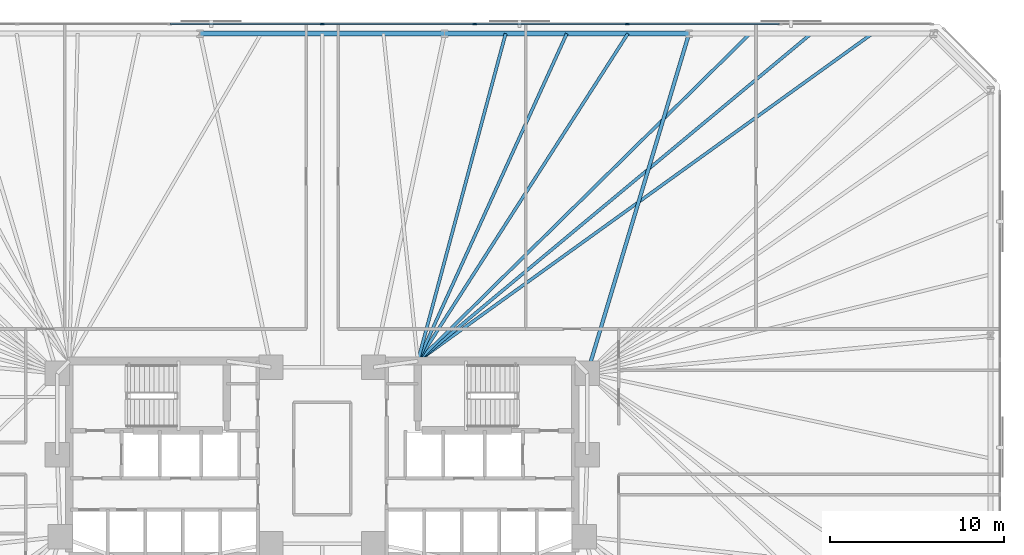
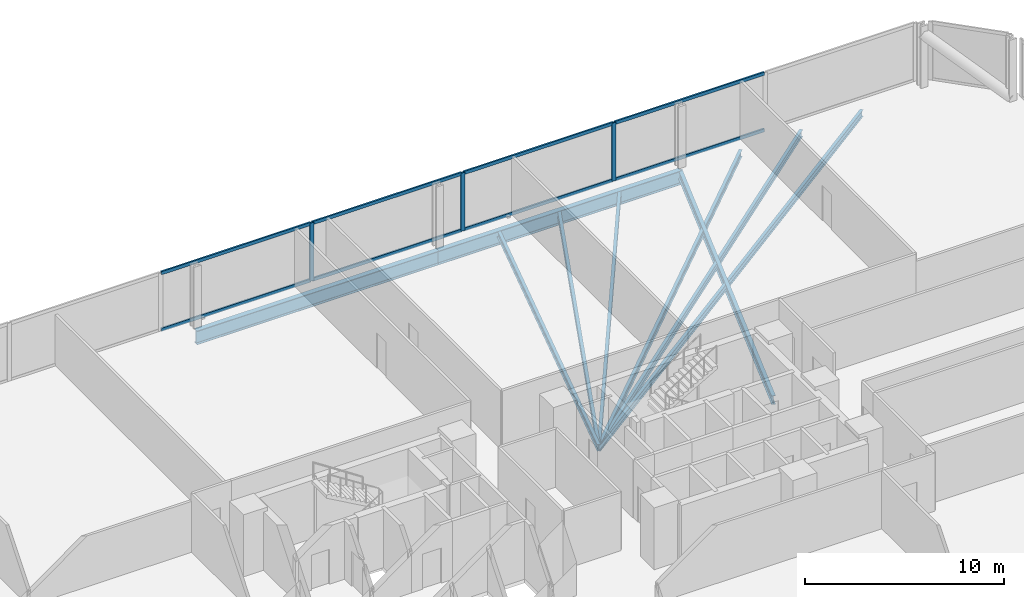
# One storey, part 9 of 17: 11 members, 9 beams, 1 element without a shape of its own.
"""IFC4 building model written with IfcOpenShell, lengths in metres."""

from ifc_helpers import new_model, si_unit, direction, frame, origin, origin_2d, place, context, subcontext, project, spatial, rectangle, i_section, extrude, material, material_profile, profile_set, type_object, element, aggregate, save


model = new_model("IFC4")

# Units and contexts
model_context = context("Model", 3, precision=1e-05, world=origin(), true_north=direction((0.0, 1.0)))
body_context = subcontext(model_context, "Body", "Model", "MODEL_VIEW")
ifc_project = project(units=[si_unit("LENGTHUNIT", "METRE"), si_unit("AREAUNIT", "SQUARE_METRE"), si_unit("VOLUMEUNIT", "CUBIC_METRE"), si_unit("PLANEANGLEUNIT", "RADIAN"), si_unit("MASSUNIT", "GRAM", prefix="KILO")], contexts=[model_context])

# Site, building, storey
site_placement = place(None, origin())
site = spatial("IfcSite", under=ifc_project, at=site_placement, CompositionType="ELEMENT")
building_placement = place(site_placement, origin())
building = spatial("IfcBuilding", under=site, at=building_placement, Name="Menara Jurai Vektor", CompositionType="ELEMENT")
storey_placement = place(building_placement, frame((0.0, 0.0, 44.60009765625)))
storey = spatial("IfcBuildingStorey", under=building, at=storey_placement, Name="L10", CompositionType="ELEMENT", Elevation=44.60009765625)

# Curtain wall, members
ifc_material_1 = material(Name="Anodised Pale Aluminium & Low-E Double Glazing", Category="aluminium")
curtain_wall_type = type_object("IfcCurtainWallType", Name="CW-BLK1", PredefinedType="NOTDEFINED", material=ifc_material_1)
curtain_wall_placement = place(storey_placement, origin())
curtain_wall = element("IfcCurtainWall", 1, at=curtain_wall_placement, inside=storey, type_object=curtain_wall_type, Name="Unitised Curtain Wall L10 F05", PredefinedType="NOTDEFINED")
ifc_material_2 = material(Name="Anodised Pale Aluminium Mullion", Category="aluminium")
ifc_material_profile_1 = material_profile(ifc_material_2, rectangle(XDim=0.094970703125, YDim=0.239990234375, at=origin_2d()), Name="ALU MUL 95x240")
ifc_profile_set_1 = profile_set([ifc_material_profile_1], Name="Anodised Pale Aluminium Mullion")
member_type_1 = type_object("IfcMemberType", Name="CW-BLK1-MUL", PredefinedType="MULLION", material=ifc_profile_set_1)
member_1_placement = place(storey_placement, frame((17.56005859375, 25.0, 0.0), z_axis=(0.0, 0.0, 1.0), x_axis=(0.0, -1.0, 0.0)))
member_1 = element("IfcMember", 2, at=member_1_placement, type_object=member_type_1, Name="CW-01 mullion 3", PredefinedType="MULLION", context=body_context, shape_type="SweptSolid", body=[
    extrude(rectangle(XDim=0.094970703125, YDim=0.239990234375, at=origin_2d()), origin(), (0.0, 0.0, 1.0), 3.574951171875),
])
member_2_placement = place(storey_placement, frame((8.780029296875, 25.0, 0.0), z_axis=(0.0, 0.0, 1.0), x_axis=(0.0, -1.0, 0.0)))
member_2 = element("IfcMember", 3, at=member_2_placement, type_object=member_type_1, Name="CW-01 mullion 4", PredefinedType="MULLION", context=body_context, shape_type="SweptSolid", body=[
    extrude(rectangle(XDim=0.094970703125, YDim=0.239990234375, at=origin_2d()), origin(), (0.0, 0.0, 1.0), 3.574951171875),
])
member_3_placement = place(storey_placement, frame((0.0, 25.0, 0.0), z_axis=(0.0, 0.0, 1.0), x_axis=(0.0, -1.0, 0.0)))
member_3 = element("IfcMember", 4, at=member_3_placement, type_object=member_type_1, Name="CW-01 mullion 5", PredefinedType="MULLION", context=body_context, shape_type="SweptSolid", body=[
    extrude(rectangle(XDim=0.094970703125, YDim=0.239990234375, at=origin_2d()), origin(), (0.0, 0.0, 1.0), 3.574951171875),
])
ifc_material_3 = material(Name="Anodised Pale Aluminium Transom", Category="aluminium")
ifc_material_profile_2 = material_profile(ifc_material_3, rectangle(XDim=0.094970703125, YDim=0.199951171875, at=origin_2d()), Name="ALU TRN 95x200")
ifc_profile_set_2 = profile_set([ifc_material_profile_2], Name="Anodised Pale Aluminium Transom")
member_type_2 = type_object("IfcMemberType", Name="CW-BLK1-TRN", PredefinedType="USERDEFINED", material=ifc_profile_set_2)
member_4_placement = place(storey_placement, frame((26.29248046875, 25.0, 0.04736328125), z_axis=(-1.0, 0.0, 0.0), x_axis=(0.0, -1.0, 0.0)))
member_4 = element("IfcMember", 5, at=member_4_placement, type_object=member_type_2, Name="CW-01 transom 2.1", ObjectType="TRANSOM", PredefinedType="USERDEFINED", context=body_context, shape_type="SweptSolid", body=[
    extrude(rectangle(XDim=0.094970703125, YDim=0.199951171875, at=origin_2d()), origin(), (0.0, 0.0, 1.0), 8.68505859375),
])
member_5_placement = place(storey_placement, frame((26.29248046875, 25.0, 3.52734375), z_axis=(-1.0, 0.0, 0.0), x_axis=(0.0, -1.0, 0.0)))
member_5 = element("IfcMember", 6, at=member_5_placement, type_object=member_type_2, Name="CW-01 transom 2.2", ObjectType="TRANSOM", PredefinedType="USERDEFINED", context=body_context, shape_type="SweptSolid", body=[
    extrude(rectangle(XDim=0.094970703125, YDim=0.199951171875, at=origin_2d()), origin(), (0.0, 0.0, 1.0), 8.68505859375),
])
member_6_placement = place(storey_placement, frame((17.512451171875, 25.0, 0.04736328125), z_axis=(-1.0, 0.0, 0.0), x_axis=(0.0, -1.0, 0.0)))
member_6 = element("IfcMember", 7, at=member_6_placement, type_object=member_type_2, Name="CW-01 transom 3.1", ObjectType="TRANSOM", PredefinedType="USERDEFINED", context=body_context, shape_type="SweptSolid", body=[
    extrude(rectangle(XDim=0.094970703125, YDim=0.199951171875, at=origin_2d()), origin(), (0.0, 0.0, 1.0), 8.68505859375),
])
member_7_placement = place(storey_placement, frame((17.512451171875, 25.0, 3.52734375), z_axis=(-1.0, 0.0, 0.0), x_axis=(0.0, -1.0, 0.0)))
member_7 = element("IfcMember", 8, at=member_7_placement, type_object=member_type_2, Name="CW-01 transom 3.2", ObjectType="TRANSOM", PredefinedType="USERDEFINED", context=body_context, shape_type="SweptSolid", body=[
    extrude(rectangle(XDim=0.094970703125, YDim=0.199951171875, at=origin_2d()), origin(), (0.0, 0.0, 1.0), 8.68505859375),
])
member_8_placement = place(storey_placement, frame((8.732421875, 25.0, 0.04736328125), z_axis=(-1.0, 0.0, 0.0), x_axis=(0.0, -1.0, 0.0)))
member_8 = element("IfcMember", 9, at=member_8_placement, type_object=member_type_2, Name="CW-01 transom 4.1", ObjectType="TRANSOM", PredefinedType="USERDEFINED", context=body_context, shape_type="SweptSolid", body=[
    extrude(rectangle(XDim=0.094970703125, YDim=0.199951171875, at=origin_2d()), origin(), (0.0, 0.0, 1.0), 8.684814453125),
])
member_9_placement = place(storey_placement, frame((8.732421875, 25.0, 3.52734375), z_axis=(-1.0, 0.0, 0.0), x_axis=(0.0, -1.0, 0.0)))
member_9 = element("IfcMember", 10, at=member_9_placement, type_object=member_type_2, Name="CW-01 transom 4.2", ObjectType="TRANSOM", PredefinedType="USERDEFINED", context=body_context, shape_type="SweptSolid", body=[
    extrude(rectangle(XDim=0.094970703125, YDim=0.199951171875, at=origin_2d()), origin(), (0.0, 0.0, 1.0), 8.684814453125),
])
member_10_placement = place(storey_placement, frame((-0.047607421875, 25.0, 0.04736328125), z_axis=(-1.0, 0.0, 0.0), x_axis=(0.0, -1.0, 0.0)))
member_10 = element("IfcMember", 11, at=member_10_placement, type_object=member_type_2, Name="CW-01 transom 5.1", ObjectType="TRANSOM", PredefinedType="USERDEFINED", context=body_context, shape_type="SweptSolid", body=[
    extrude(rectangle(XDim=0.094970703125, YDim=0.199951171875, at=origin_2d()), origin(), (0.0, 0.0, 1.0), 8.684814453125),
])
member_11_placement = place(storey_placement, frame((-0.047607421875, 25.0, 3.52734375), z_axis=(-1.0, 0.0, 0.0), x_axis=(0.0, -1.0, 0.0)))
member_11 = element("IfcMember", 12, at=member_11_placement, type_object=member_type_2, Name="CW-01 transom 5.2", ObjectType="TRANSOM", PredefinedType="USERDEFINED", context=body_context, shape_type="SweptSolid", body=[
    extrude(rectangle(XDim=0.094970703125, YDim=0.199951171875, at=origin_2d()), origin(), (0.0, 0.0, 1.0), 8.684814453125),
])
aggregate(curtain_wall, [member_1, member_2, member_3, member_4, member_5, member_6, member_7, member_8, member_9, member_10, member_11])

# Beams
ifc_material_4 = material(Name="Steel S355", Category="steel")
ifc_material_profile_3 = material_profile(ifc_material_4, i_section(OverallWidth=0.2109375, OverallDepth=0.5390625, WebThickness=0.011962890625, FlangeThickness=0.01904296875, FilletRadius=0.012939453125, at=origin_2d()), Name="UKB 533x210x109")
ifc_profile_set_3 = profile_set([ifc_material_profile_3], Name="Steel S355")
beam_type_1 = type_object("IfcBeamType", Name="STR-BM-533", PredefinedType="BEAM", material=ifc_profile_set_3)
beam_1_placement = place(storey_placement, frame((21.106689453125, 24.449951171875, -0.49462890625), z_axis=(-0.286973617166, -0.957938486047, 0.0), x_axis=(0.957938486047, -0.286973617166, 0.0)))
element("IfcBeam", 13, at=beam_1_placement, inside=storey, type_object=beam_type_1, Name="Radial Floor Girder L10-N2", PredefinedType="BEAM", context=body_context, shape_type="SweptSolid", body=[
    extrude(i_section(OverallWidth=0.2109375, OverallDepth=0.5390625, WebThickness=0.011962890625, FlangeThickness=0.01904296875, FilletRadius=0.012939453125, at=origin_2d()), origin(), (0.0, 0.0, 1.0), 20.408447265625),
])
ifc_material_profile_4 = material_profile(ifc_material_4, i_section(OverallWidth=0.178955078125, OverallDepth=0.408935546875, WebThickness=0.009033203125, FlangeThickness=0.013916015625, FilletRadius=0.010009765625, at=origin_2d()), Name="UKB 406x178x67")
ifc_profile_set_4 = profile_set([ifc_material_profile_4], Name="Steel S355")
beam_type_2 = type_object("IfcBeamType", Name="STR-JS-406", PredefinedType="JOIST", material=ifc_profile_set_4)
beam_2_placement = place(storey_placement, frame((31.659912109375, 24.449951171875, -0.4296875), z_axis=(-0.81131785733, -0.584605280833, 0.0), x_axis=(0.584605280833, -0.81131785733, 0.0)))
element("IfcBeam", 14, at=beam_2_placement, inside=storey, type_object=beam_type_2, Name="Radial Secondary Floor Joist L10-JS16", PredefinedType="JOIST", context=body_context, shape_type="SweptSolid", body=[
    extrude(i_section(OverallWidth=0.178955078125, OverallDepth=0.408935546875, WebThickness=0.009033203125, FlangeThickness=0.013916015625, FilletRadius=0.010009765625, at=origin_2d()), origin(), (0.0, 0.0, 1.0), 32.24365234375),
])
beam_3_placement = place(storey_placement, frame((28.142333984375, 24.449951171875, -0.4296875), z_axis=(-0.76853431665, -0.639808568347, 0.0), x_axis=(0.639808568347, -0.76853431665, 0.0)))
element("IfcBeam", 15, at=beam_3_placement, inside=storey, type_object=beam_type_2, Name="Radial Secondary Floor Joist L10-JS17", PredefinedType="JOIST", context=body_context, shape_type="SweptSolid", body=[
    extrude(i_section(OverallWidth=0.178955078125, OverallDepth=0.408935546875, WebThickness=0.009033203125, FlangeThickness=0.013916015625, FilletRadius=0.010009765625, at=origin_2d()), origin(), (0.0, 0.0, 1.0), 29.461669921875),
])
beam_4_placement = place(storey_placement, frame((24.62451171875, 24.449951171875, -0.4296875), z_axis=(-0.712202462998, -0.70197411042, 0.0), x_axis=(0.70197411042, -0.712202462998, 0.0)))
element("IfcBeam", 16, at=beam_4_placement, inside=storey, type_object=beam_type_2, Name="Radial Secondary Floor Joist L10-JS18", PredefinedType="JOIST", context=body_context, shape_type="SweptSolid", body=[
    extrude(i_section(OverallWidth=0.178955078125, OverallDepth=0.408935546875, WebThickness=0.009033203125, FlangeThickness=0.013916015625, FilletRadius=0.010009765625, at=origin_2d()), origin(), (0.0, 0.0, 1.0), 26.8525390625),
])
beam_5_placement = place(storey_placement, frame((17.5888671875, 24.449951171875, -0.4296875), z_axis=(-0.53984422461, -0.841764939372, 0.0), x_axis=(0.841764939372, -0.53984422461, 0.0)))
element("IfcBeam", 17, at=beam_5_placement, inside=storey, type_object=beam_type_2, Name="Radial Secondary Floor Joist L10-JS19", PredefinedType="JOIST", context=body_context, shape_type="SweptSolid", body=[
    extrude(i_section(OverallWidth=0.178955078125, OverallDepth=0.408935546875, WebThickness=0.009033203125, FlangeThickness=0.013916015625, FilletRadius=0.010009765625, at=origin_2d()), origin(), (0.0, 0.0, 1.0), 22.393310546875),
])
beam_6_placement = place(storey_placement, frame((14.071044921875, 24.449951171875, -0.4296875), z_axis=(-0.413920197297, -0.910313171535, 0.0), x_axis=(0.910313171535, -0.413920197297, 0.0)))
element("IfcBeam", 18, at=beam_6_placement, inside=storey, type_object=beam_type_2, Name="Radial Secondary Floor Joist L10-JS20", PredefinedType="JOIST", context=body_context, shape_type="SweptSolid", body=[
    extrude(i_section(OverallWidth=0.178955078125, OverallDepth=0.408935546875, WebThickness=0.009033203125, FlangeThickness=0.013916015625, FilletRadius=0.010009765625, at=origin_2d()), origin(), (0.0, 0.0, 1.0), 20.70703125),
])
beam_7_placement = place(storey_placement, frame((10.55322265625, 24.449951171875, -0.4296875), z_axis=(-0.258934723238, -0.965894823002, 0.0), x_axis=(0.965894823002, -0.258934723238, 0.0)))
element("IfcBeam", 19, at=beam_7_placement, inside=storey, type_object=beam_type_2, Name="Radial Secondary Floor Joist L10-JS21", PredefinedType="JOIST", context=body_context, shape_type="SweptSolid", body=[
    extrude(i_section(OverallWidth=0.178955078125, OverallDepth=0.408935546875, WebThickness=0.009033203125, FlangeThickness=0.013916015625, FilletRadius=0.010009765625, at=origin_2d()), origin(), (0.0, 0.0, 1.0), 19.515380859375),
])
ifc_material_5 = material(Name="Steel S460", Category="steel")
ifc_material_profile_5 = material_profile(ifc_material_5, i_section(OverallWidth=0.2939453125, OverallDepth=0.85107421875, WebThickness=0.01611328125, FlangeThickness=0.027099609375, FilletRadius=0.01806640625, at=origin_2d()), Name="UKB 838x292x226")
ifc_profile_set_5 = profile_set([ifc_material_profile_5], Name="Steel S460")
beam_type_3 = type_object("IfcBeamType", Name="STR-SP-838", PredefinedType="SPANDREL", material=ifc_profile_set_5)
beam_8_placement = place(storey_placement, frame((21.106689453125, 24.449951171875, -0.650634765625), z_axis=(-1.0, 0.0, 0.0), x_axis=(0.0, -1.0, 0.0)))
element("IfcBeam", 20, at=beam_8_placement, inside=storey, type_object=beam_type_3, Name="Exoskeleton Spandrel Beam L10-12", PredefinedType="SPANDREL", context=body_context, shape_type="SweptSolid", body=[
    extrude(i_section(OverallWidth=0.2939453125, OverallDepth=0.85107421875, WebThickness=0.01611328125, FlangeThickness=0.027099609375, FilletRadius=0.01806640625, at=origin_2d()), origin(), (0.0, 0.0, 1.0), 14.071044921875),
])
beam_9_placement = place(storey_placement, frame((7.03564453125, 24.449951171875, -0.650634765625), z_axis=(-1.0, 0.0, 0.0), x_axis=(0.0, -1.0, 0.0)))
element("IfcBeam", 21, at=beam_9_placement, inside=storey, type_object=beam_type_3, Name="Exoskeleton Spandrel Beam L10-13", PredefinedType="SPANDREL", context=body_context, shape_type="SweptSolid", body=[
    extrude(i_section(OverallWidth=0.2939453125, OverallDepth=0.85107421875, WebThickness=0.01611328125, FlangeThickness=0.027099609375, FilletRadius=0.01806640625, at=origin_2d()), origin(), (0.0, 0.0, 1.0), 14.0712890625),
])

save(model, "model.ifc")
